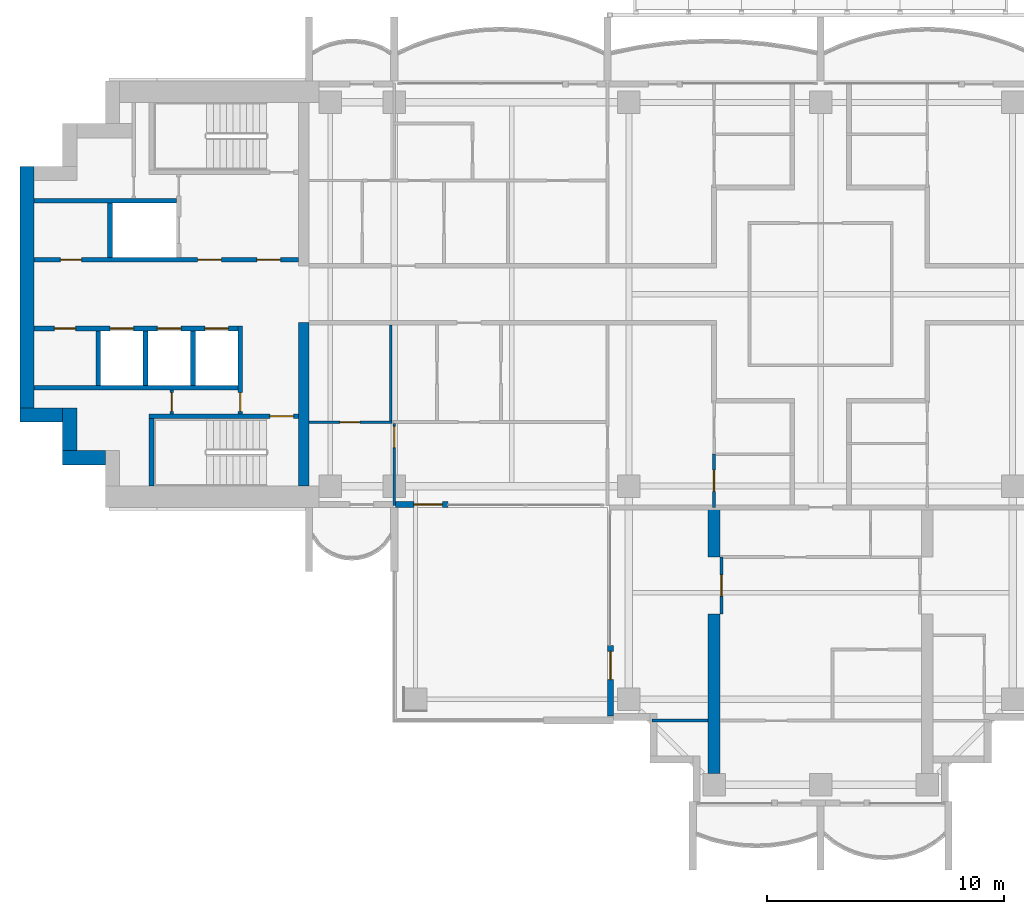
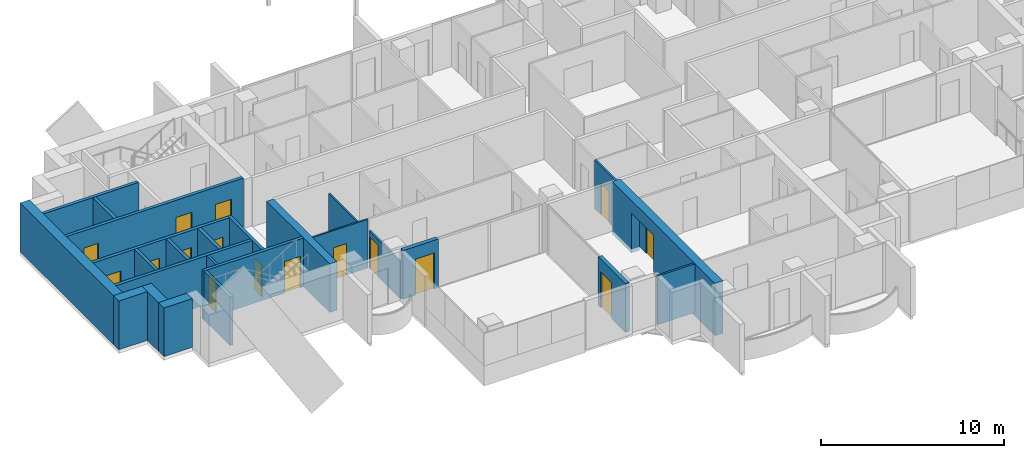
# One storey, part 10 of 20: 26 walls, 16 doors, 16 openings.
"""IFC4 building model written with IfcOpenShell, lengths in metres."""

import ifcopenshell
import ifcopenshell.guid

model = None  # the IFC model being written
_history = None  # IfcOwnerHistory: only IFC2X3 demands one
_inside = {}  # id of a spatial element -> (the spatial element, [elements in it])
_under = {}  # id of a project, library or spatial element -> (it, [spatial elements below it])
_declared = {}  # id of a project -> (the project, [libraries it declares])
_typed = {}  # id of a type object -> (the type object, [elements of that type])
_made_of = {}  # id of a material, layer set ... -> (it, [elements and type objects made of it])


def new_model(schema):
    """Start an empty IFC model of exactly this schema.

    Asked for "IFC4X3", IfcOpenShell would pick the latest addendum, in which some entities
    have other attributes; the version numbers below select the first issue.
    IFC2X3 requires an IfcOwnerHistory on every rooted entity: one is made here for all.
    """
    global model, _history
    if schema == "IFC4X3":
        model = ifcopenshell.file(schema_version=(4, 3, 0, 0))
    else:
        model = ifcopenshell.file(schema=schema)
    _inside.clear()
    _under.clear()
    _declared.clear()
    _typed.clear()
    _made_of.clear()
    _history = None
    if model.schema == "IFC2X3":
        org = make("IfcOrganization", Name="unknown")
        user = make(
            "IfcPersonAndOrganization",
            ThePerson=make("IfcPerson", FamilyName="unknown"),
            TheOrganization=org,
        )
        app = make(
            "IfcApplication",
            ApplicationDeveloper=org,
            Version="unknown",
            ApplicationFullName="unknown",
            ApplicationIdentifier="unknown",
        )
        _history = make(
            "IfcOwnerHistory",
            OwningUser=user,
            OwningApplication=app,
            ChangeAction="ADDED",
            CreationDate=0,
        )
    return model


def make(cls, **values):
    """One entity of the class cls with the attributes given. An attribute that is None is left unset."""
    return model.create_entity(
        cls, **{name: value for name, value in values.items() if value is not None}
    )


def rooted(cls, **values):
    """An entity with a GlobalId (a new one), such as an element, a storey or a relation."""
    return make(cls, GlobalId=ifcopenshell.guid.new(), OwnerHistory=_history, **values)


def si_unit(unit_type, name, prefix=None):
    """IfcSIUnit, for example si_unit("LENGTHUNIT", "METRE", prefix="MILLI")."""
    return make("IfcSIUnit", UnitType=unit_type, Prefix=prefix, Name=name)


def assignment(units):
    """IfcUnitAssignment: the units of a project."""
    return None if units is None else make("IfcUnitAssignment", Units=units)


def point(xyz):
    """IfcCartesianPoint."""
    return None if xyz is None else make("IfcCartesianPoint", Coordinates=xyz)


def direction(xyz):
    """IfcDirection."""
    return None if xyz is None else make("IfcDirection", DirectionRatios=xyz)


def frame(location, z_axis=None, x_axis=None):
    """IfcAxis2Placement3D, a coordinate frame: its origin and axes. An axis left out is left unset."""
    return make(
        "IfcAxis2Placement3D",
        Location=point(location),
        Axis=direction(z_axis),
        RefDirection=direction(x_axis),
    )


def frame_2d(location, x_axis=None):
    """IfcAxis2Placement2D, a coordinate frame in the plane: its origin and x axis."""
    return make(
        "IfcAxis2Placement2D", Location=point(location), RefDirection=direction(x_axis)
    )


def origin():
    """The frame at (0, 0, 0) with its axes left unset."""
    return frame((0.0, 0.0, 0.0))


def place(relative_to, where):
    """IfcLocalPlacement: puts the frame where relative to a parent placement (None: the world)."""
    return make(
        "IfcLocalPlacement", PlacementRelTo=relative_to, RelativePlacement=where
    )


def context(
    kind, dimensions, precision=None, world=None, true_north=None, identifier=None
):
    """IfcGeometricRepresentationContext, for example the 3D "Model" context."""
    return make(
        "IfcGeometricRepresentationContext",
        ContextIdentifier=identifier,
        ContextType=kind,
        CoordinateSpaceDimension=dimensions,
        Precision=precision,
        WorldCoordinateSystem=world,
        TrueNorth=true_north,
    )


def subcontext(parent, identifier, kind, view, scale=None):
    """IfcGeometricRepresentationSubContext, for example "Body" below "Model"."""
    return make(
        "IfcGeometricRepresentationSubContext",
        ContextIdentifier=identifier,
        ContextType=kind,
        ParentContext=parent,
        TargetScale=scale,
        TargetView=view,
    )


def project(units=None, contexts=None):
    """IfcProject with its units and contexts."""
    return rooted(
        "IfcProject",
        Name="project",
        RepresentationContexts=contexts,
        UnitsInContext=assignment(units),
    )


def spatial(cls, under=None, at=None, **own):
    """A site, building, storey or space (cls), placed at a placement, below another one or the project."""
    s = rooted(cls, ObjectPlacement=at, **own)
    if under is not None:
        _under.setdefault(under.id(), (under, []))[1].append(s)
    return s


def polyline(points):
    """IfcPolyline through the points."""
    return make("IfcPolyline", Points=[point(p) for p in points])


def profile(cls, at=None, kind="AREA", **sizes):
    """A parametric profile (cls). Its sizes go by their IFC names, for example OverallWidth=200.0."""
    return make(cls, ProfileType=kind, Position=at, **sizes)


def rectangle(**sizes):
    """IfcRectangleProfileDef."""
    return profile("IfcRectangleProfileDef", **sizes)


def outline(outer, holes=None, kind="AREA"):
    """IfcArbitraryClosedProfileDef: a profile drawn as a closed curve; with holes, ...WithVoids."""
    if holes is None:
        return make("IfcArbitraryClosedProfileDef", ProfileType=kind, OuterCurve=outer)
    return make(
        "IfcArbitraryProfileDefWithVoids",
        ProfileType=kind,
        OuterCurve=outer,
        InnerCurves=holes,
    )


def extrude(swept, where, along, depth):
    """IfcExtrudedAreaSolid: the profile swept, set in the frame where, extruded along a direction by depth."""
    return make(
        "IfcExtrudedAreaSolid",
        SweptArea=swept,
        Position=where,
        ExtrudedDirection=direction(along),
        Depth=depth,
    )


def shape(context_of_items, identifier, shape_type, items):
    """IfcShapeRepresentation: the items that make up one representation, for example the "Body"."""
    return make(
        "IfcShapeRepresentation",
        ContextOfItems=context_of_items,
        RepresentationIdentifier=identifier,
        RepresentationType=shape_type,
        Items=items,
    )


def material(Name=None, Category=None):
    """IfcMaterial."""
    return make("IfcMaterial", Name=Name, Category=Category)


def layer(
    of_material, thickness, ventilated=None, Name=None, Category=None, Priority=None
):
    """IfcMaterialLayer: one layer of a wall or slab, of a material (None: an air gap)."""
    return make(
        "IfcMaterialLayer",
        Material=of_material,
        LayerThickness=thickness,
        IsVentilated=ventilated,
        Name=Name,
        Category=Category,
        Priority=Priority,
    )


def layer_set(layers, Name=None):
    """IfcMaterialLayerSet."""
    return make("IfcMaterialLayerSet", MaterialLayers=layers, LayerSetName=Name)


def material_profile(
    of_material, cross_section, Name=None, Category=None, Priority=None
):
    """IfcMaterialProfile: a cross section and its material."""
    return make(
        "IfcMaterialProfile",
        Name=Name,
        Material=of_material,
        Profile=cross_section,
        Priority=Priority,
        Category=Category,
    )


def profile_set(profiles, Name=None, composite=None):
    """IfcMaterialProfileSet."""
    return make(
        "IfcMaterialProfileSet",
        Name=Name,
        MaterialProfiles=profiles,
        CompositeProfile=composite,
    )


def made_of(thing, what):
    """Note that an element or type object is made of a material, layer set ...; save() writes the relation."""
    if what is not None:
        _made_of.setdefault(what.id(), (what, []))[1].append(thing)
    return thing


def type_object(cls, material=None, **own):
    """A type object (cls), such as IfcWallType, which elements share."""
    return made_of(rooted(cls, **own), material)


def element(
    cls,
    number,
    at=None,
    inside=None,
    cuts=None,
    type_object=None,
    material=None,
    context=None,
    identifier="Body",
    shape_type=None,
    held_by="IfcProductDefinitionShape",
    body=None,
    shapes=None,
    **own,
):
    """One element of the class cls, such as IfcWall. Its Tag is "e" and its number.

    at: its placement. inside: the storey or other place that contains it. cuts: it is an
    opening in that element (IfcRelVoidsElement). A single representation is given by context,
    identifier, shape_type and body (its items); several are given by shapes. held_by: the class
    of the entity that holds the representations. save() writes the other relations.
    """
    e = rooted(cls, Tag="e%d" % number, ObjectPlacement=at, **own)
    if body is not None:
        shapes = [shape(context, identifier, shape_type, body)]
    if shapes is not None:
        e.Representation = make(held_by, Representations=shapes)
    if inside is not None:
        _inside.setdefault(inside.id(), (inside, []))[1].append(e)
    if cuts is not None:
        rooted(
            "IfcRelVoidsElement", RelatingBuildingElement=cuts, RelatedOpeningElement=e
        )
    if type_object is not None:
        _typed.setdefault(type_object.id(), (type_object, []))[1].append(e)
    return made_of(e, material)


def fill(opening, filler):
    """IfcRelFillsElement: the door or window that sits in an opening."""
    return rooted(
        "IfcRelFillsElement",
        RelatingOpeningElement=opening,
        RelatedBuildingElement=filler,
    )


def aggregate(whole, parts):
    """IfcRelAggregates: a whole, such as a stair, and the parts it consists of."""
    return rooted("IfcRelAggregates", RelatingObject=whole, RelatedObjects=parts)


def save(model, path):
    """Write the relations noted so far, then the file.

    IfcRelAggregates (storeys below a building ...), IfcRelContainedInSpatialStructure (elements
    in a storey), IfcRelDefinesByType, IfcRelAssociatesMaterial and IfcRelDeclares: one each for
    every whole, place, type object, material and project.
    """
    for whole, parts in _under.values():
        aggregate(whole, parts)
    for where, things in _inside.values():
        rooted(
            "IfcRelContainedInSpatialStructure",
            RelatedElements=things,
            RelatingStructure=where,
        )
    for kind, things in _typed.values():
        rooted("IfcRelDefinesByType", RelatedObjects=things, RelatingType=kind)
    for what, things in _made_of.values():
        rooted("IfcRelAssociatesMaterial", RelatedObjects=things, RelatingMaterial=what)
    for by, libraries in _declared.values():
        rooted("IfcRelDeclares", RelatingContext=by, RelatedDefinitions=libraries)
    model.write(path)


model = new_model("IFC4")

# Units and contexts
model_context = context("Model", 3, precision=1e-05, world=origin(), true_north=direction((0.0, 1.0)))
body_context = subcontext(model_context, "Body", "Model", "MODEL_VIEW")
ifc_project = project(units=[si_unit("LENGTHUNIT", "METRE"), si_unit("AREAUNIT", "SQUARE_METRE"), si_unit("VOLUMEUNIT", "CUBIC_METRE"), si_unit("PLANEANGLEUNIT", "RADIAN"), si_unit("MASSUNIT", "GRAM", prefix="KILO")], contexts=[model_context])

# Site, building, storey
site_placement = place(None, origin())
site = spatial("IfcSite", under=ifc_project, at=site_placement, CompositionType="ELEMENT")
building_placement = place(site_placement, origin())
building = spatial("IfcBuilding", under=site, at=building_placement, Name="Perihelion Cross Residences", CompositionType="ELEMENT")
storey_placement = place(building_placement, frame((0.0, 0.0, 170.10009765625)))
storey = spatial("IfcBuildingStorey", under=building, at=storey_placement, Name="L41", CompositionType="ELEMENT", Elevation=170.10009765625)

# Wall, opening, door
ifc_material_1 = material(Name="Concrete C30/37, bronze-clad", Category="concrete")
ifc_layer_1 = layer(ifc_material_1, 0.25)
ifc_layer_set_1 = layer_set([ifc_layer_1], Name="Bronze-clad pier wall 250")
wall_type_1 = type_object("IfcWallType", Name="Bronze-clad pier wall 250", PredefinedType="SOLIDWALL", material=ifc_layer_set_1)
wall_1_placement = place(storey_placement, frame((-17.93994140625, -8.875, 0.0), z_axis=(0.0, 0.0, 1.0), x_axis=(1.0, 0.0, 0.0)))
wall_1 = element("IfcWall", 1, at=wall_1_placement, inside=storey, type_object=wall_type_1, Name="Wall FW1 L41 west side south bay 2 pier", PredefinedType="SOLIDWALL", context=body_context, shape_type="SweptSolid", body=[
    extrude(rectangle(XDim=2.21484375, YDim=0.25, at=frame_2d((1.107421875, 0.0))), origin(), (0.0, 0.0, 1.0), 3.25),
])
opening_1_placement = place(wall_1_placement, frame((0.764892578125, 0.0, 0.0)))
opening_1 = element("IfcOpeningElement", 2, at=opening_1_placement, cuts=wall_1, Name="Opening L41.E08", PredefinedType="OPENING", context=body_context, shape_type="SweptSolid", body=[
    extrude(rectangle(XDim=1.199951171875, YDim=2.39990234375, at=frame_2d((0.60009765625, 1.199951171875))), frame((0.0, 0.135009765625, 0.0), z_axis=(0.0, -1.0, 0.0), x_axis=(1.0, 0.0, 0.0)), (0.0, 0.0, 1.0), 0.27001953125),
])
ifc_material_2 = material(Name="Bronze anodised aluminium, glazed", Category="aluminium")
door_type_1 = type_object("IfcDoorType", Name="Balcony door 1200 x 2400", OperationType="NOTDEFINED", PredefinedType="DOOR", material=ifc_material_2)
door_1_placement = place(opening_1_placement, origin())
door_1 = element("IfcDoor", 3, at=door_1_placement, inside=storey, type_object=door_type_1, Name="Door L41.E08 west side south bay 2", OperationType="SINGLE_SWING_RIGHT", OverallHeight=2.39990234375, OverallWidth=1.199951171875, PredefinedType="DOOR", context=body_context, shape_type="SweptSolid", body=[
    extrude(rectangle(XDim=1.199951171875, YDim=2.39990234375, at=frame_2d((0.60009765625, 1.199951171875))), frame((0.0, 0.02490234375, 0.0), z_axis=(0.0, -1.0, 0.0), x_axis=(1.0, 0.0, 0.0)), (0.0, 0.0, 1.0), 0.050048828125),
])
fill(opening_1, door_1)

wall_2_placement = place(storey_placement, frame((-8.875, -14.824951171875, 0.0), z_axis=(0.0, 0.0, 1.0), x_axis=(0.0, -1.0, 0.0)))
wall_2 = element("IfcWall", 4, at=wall_2_placement, inside=storey, type_object=wall_type_1, Name="Wall FW1 L41 south side west bay 1 pier", PredefinedType="SOLIDWALL", context=body_context, shape_type="SweptSolid", body=[
    extrude(rectangle(XDim=2.97509765625, YDim=0.25, at=frame_2d((1.487548828125, 0.0))), origin(), (0.0, 0.0, 1.0), 3.25),
])
opening_2_placement = place(wall_2_placement, frame((0.25, 0.0, 0.0)))
opening_2 = element("IfcOpeningElement", 5, at=opening_2_placement, cuts=wall_2, Name="Opening L41.E09", PredefinedType="OPENING", context=body_context, shape_type="SweptSolid", body=[
    extrude(rectangle(XDim=1.199951171875, YDim=2.39990234375, at=frame_2d((0.60009765625, 1.199951171875))), frame((0.0, 0.135009765625, 0.0), z_axis=(0.0, -1.0, 0.0), x_axis=(1.0, 0.0, 0.0)), (0.0, 0.0, 1.0), 0.27001953125),
])
door_2_placement = place(opening_2_placement, origin())
door_2 = element("IfcDoor", 6, at=door_2_placement, inside=storey, type_object=door_type_1, Name="Door L41.E09 south side west bay 1", OperationType="SINGLE_SWING_LEFT", OverallHeight=2.39990234375, OverallWidth=1.199951171875, PredefinedType="DOOR", context=body_context, shape_type="SweptSolid", body=[
    extrude(rectangle(XDim=1.199951171875, YDim=2.39990234375, at=frame_2d((0.60009765625, 1.199951171875))), frame((0.0, 0.02490234375, 0.0), z_axis=(0.0, -1.0, 0.0), x_axis=(1.0, 0.0, 0.0)), (0.0, 0.0, 1.0), 0.050048828125),
])
fill(opening_2, door_2)

# Walls
ifc_material_3 = material(Name="Concrete C60/75", Category="concrete")
ifc_layer_2 = layer(ifc_material_3, 0.449951171875)
ifc_layer_set_2 = layer_set([ifc_layer_2], Name="Core wall, inner 450")
wall_type_2 = type_object("IfcWallType", Name="Core wall, inner 450", PredefinedType="SHEAR", material=ifc_layer_set_2)
wall_3_placement = place(storey_placement, frame((-21.824951171875, -8.10009765625, 0.0), z_axis=(0.0, 0.0, 1.0), x_axis=(0.0, 1.0, 0.0)))
element("IfcWall", 7, at=wall_3_placement, inside=storey, type_object=wall_type_2, Name="West core core wall, inner", PredefinedType="SHEAR", context=body_context, shape_type="SweptSolid", body=[
    extrude(rectangle(XDim=6.900146484375, YDim=0.449951171875, at=frame_2d((3.4501953125, 0.0))), origin(), (0.0, 0.0, 1.0), 3.25),
])
ifc_material_4 = material(Name="Concrete C60/75", Category="concrete")
ifc_layer_3 = layer(ifc_material_4, 0.60009765625)
ifc_layer_set_3 = layer_set([ifc_layer_3], Name="Core wall, outer 600")
wall_type_3 = type_object("IfcWallType", Name="Core wall, outer 600", PredefinedType="SHEAR", material=ifc_layer_set_3)
for number, where, z_axis, x_axis, name in (
    (8, (-32.0, -6.89990234375, 0.0), (0.0, 0.0, 1.0), (1.0, 0.0, 0.0), "West core core wall, outer"),
    (9, (-31.699951171875, -6.60009765625, 0.0), (0.0, 0.0, 1.0), (0.0, 1.0, 0.0), "West core core wall, outer"),
    (10, (-33.800048828125, -5.10009765625, 0.0), (0.0, 0.0, 1.0), (1.0, 0.0, 0.0), "West core core wall, outer"),
):
    element("IfcWall", number, at=place(storey_placement, frame(where, z_axis=z_axis, x_axis=x_axis)), inside=storey, type_object=wall_type_3, Name=name, PredefinedType="SHEAR", context=body_context, shape_type="SweptSolid", body=[
        extrude(rectangle(XDim=1.800048828125, YDim=0.60009765625, at=frame_2d((0.89990234375, 0.0))), origin(), (0.0, 0.0, 1.0), 3.25),
    ])
wall_4_placement = place(storey_placement, frame((-33.5, -4.800048828125, 0.0), z_axis=(0.0, 0.0, 1.0), x_axis=(0.0, 1.0, 0.0)))
element("IfcWall", 11, at=wall_4_placement, inside=storey, type_object=wall_type_3, Name="West core core wall, outer", PredefinedType="SHEAR", context=body_context, shape_type="SweptSolid", body=[
    extrude(rectangle(XDim=10.199951171875, YDim=0.60009765625, at=frame_2d((5.10009765625, 0.0))), origin(), (0.0, 0.0, 1.0), 3.25),
])

# Wall, opening, door
ifc_material_5 = material(Name="Plasterboard partition")
ifc_layer_4 = layer(ifc_material_5, 0.1201171875)
ifc_layer_set_4 = layer_set([ifc_layer_4], Name="Infill panel 120")
wall_type_4 = type_object("IfcWallType", Name="Infill panel 120", PredefinedType="PARTITIONING", material=ifc_layer_set_4)
wall_5_placement = place(storey_placement, frame((-4.18994140625, -11.10009765625, 0.0), z_axis=(0.0, 0.0, 1.0), x_axis=(0.0, -1.0, 0.0)))
wall_5 = element("IfcWall", 12, at=wall_5_placement, inside=storey, type_object=wall_type_4, Name="Partition L41 WI02", PredefinedType="PARTITIONING", context=body_context, shape_type="SweptSolid", body=[
    extrude(rectangle(XDim=2.39990234375, YDim=0.1201171875, at=frame_2d((1.199951171875, 0.0))), origin(), (0.0, 0.0, 1.0), 2.39990234375),
])
opening_3_placement = place(wall_5_placement, frame((0.75, 0.0, 0.0)))
opening_3 = element("IfcOpeningElement", 13, at=opening_3_placement, cuts=wall_5, Name="Opening L41.A50", PredefinedType="OPENING", context=body_context, shape_type="SweptSolid", body=[
    extrude(rectangle(XDim=0.89990234375, YDim=2.10009765625, at=frame_2d((0.449951171875, 1.050048828125))), frame((0.0, 0.070068359375, 0.0), z_axis=(0.0, -1.0, 0.0), x_axis=(1.0, 0.0, 0.0)), (0.0, 0.0, 1.0), 0.14013671875),
])
ifc_material_6 = material(Name="Timber door leaf", Category="wood")
door_type_2 = type_object("IfcDoorType", Name="Interior room door 900 x 2100", OperationType="SINGLE_SWING_LEFT", PredefinedType="DOOR", material=ifc_material_6)
door_3_placement = place(opening_3_placement, origin())
door_3 = element("IfcDoor", 14, at=door_3_placement, inside=storey, type_object=door_type_2, Name="Door L41.A50", OperationType="SINGLE_SWING_RIGHT", OverallHeight=2.10009765625, OverallWidth=0.89990234375, PredefinedType="DOOR", context=body_context, shape_type="SweptSolid", body=[
    extrude(rectangle(XDim=0.89990234375, YDim=2.10009765625, at=frame_2d((0.449951171875, 1.050048828125))), frame((0.0, 0.02490234375, 0.0), z_axis=(0.0, -1.0, 0.0), x_axis=(1.0, 0.0, 0.0)), (0.0, 0.0, 1.0), 0.050048828125),
])
fill(opening_3, door_3)

ifc_material_7 = material(Name="Concrete C50/60", Category="concrete")
ifc_layer_5 = layer(ifc_material_7, 0.199951171875)
ifc_layer_set_5 = layer_set([ifc_layer_5], Name="Lobby wall 200")
wall_type_5 = type_object("IfcWallType", Name="Lobby wall 200", PredefinedType="SOLIDWALL", material=ifc_layer_set_5)
wall_6_placement = place(storey_placement, frame((-24.5, -5.050048828125, 0.0), z_axis=(0.0, 0.0, 1.0), x_axis=(0.0, 1.0, 0.0)))
wall_6 = element("IfcWall", 15, at=wall_6_placement, inside=storey, type_object=wall_type_5, Name="West core lobby wall", PredefinedType="SOLIDWALL", context=body_context, shape_type="SweptSolid", body=[
    extrude(rectangle(XDim=3.699951171875, YDim=0.199951171875, at=frame_2d((1.85009765625, 0.0))), origin(), (0.0, 0.0, 1.0), 3.25),
])
opening_4_placement = place(wall_6_placement, frame((0.10009765625, 0.0, 0.0)))
opening_4 = element("IfcOpeningElement", 16, at=opening_4_placement, cuts=wall_6, Name="Opening L41.C22", PredefinedType="OPENING", context=body_context, shape_type="SweptSolid", body=[
    extrude(rectangle(XDim=0.800048828125, YDim=2.10009765625, at=frame_2d((0.39990234375, 1.050048828125))), frame((0.0, 0.10986328125, 0.0), z_axis=(0.0, -1.0, 0.0), x_axis=(1.0, 0.0, 0.0)), (0.0, 0.0, 1.0), 0.219970703125),
])
ifc_material_8 = material(Name="Steel, powder coated", Category="steel")
door_type_3 = type_object("IfcDoorType", Name="Riser door 800", OperationType="SINGLE_SWING_LEFT", PredefinedType="DOOR", material=ifc_material_8)
door_4_placement = place(opening_4_placement, origin())
door_4 = element("IfcDoor", 17, at=door_4_placement, inside=storey, type_object=door_type_3, Name="West core riser door", OperationType="SINGLE_SWING_LEFT", OverallHeight=2.10009765625, OverallWidth=0.800048828125, PredefinedType="DOOR", context=body_context, shape_type="SweptSolid", body=[
    extrude(rectangle(XDim=0.800048828125, YDim=2.10009765625, at=frame_2d((0.39990234375, 1.050048828125))), frame((0.0, 0.02490234375, 0.0), z_axis=(0.0, -1.0, 0.0), x_axis=(1.0, 0.0, 0.0)), (0.0, 0.0, 1.0), 0.050048828125),
])
fill(opening_4, door_4)

ifc_material_9 = material(Name="Plasterboard partition")
ifc_layer_6 = layer(ifc_material_9, 0.1201171875)
ifc_layer_set_6 = layer_set([ifc_layer_6], Name="Partition wall 120")
wall_type_6 = type_object("IfcWallType", Name="Partition wall 120", PredefinedType="PARTITIONING", material=ifc_layer_set_6)
wall_7_placement = place(storey_placement, frame((-18.0, -8.919921875, 0.0), z_axis=(0.0, 0.0, 1.0), x_axis=(0.0, 1.0, 0.0)))
wall_7 = element("IfcWall", 18, at=wall_7_placement, inside=storey, type_object=wall_type_6, Name="Partition L41 W069", PredefinedType="PARTITIONING", context=body_context, shape_type="SweptSolid", body=[
    extrude(rectangle(XDim=3.4599609375, YDim=0.1201171875, at=frame_2d((1.72998046875, 0.0))), origin(), (0.0, 0.0, 1.0), 2.47998046875),
])
opening_5_placement = place(wall_7_placement, frame((2.43994140625, 0.0, 0.0)))
opening_5 = element("IfcOpeningElement", 19, at=opening_5_placement, cuts=wall_7, Name="Opening L41.A35", PredefinedType="OPENING", context=body_context, shape_type="SweptSolid", body=[
    extrude(rectangle(XDim=0.89990234375, YDim=2.10009765625, at=frame_2d((0.449951171875, 1.050048828125))), frame((0.0, 0.070068359375, 0.0), z_axis=(0.0, -1.0, 0.0), x_axis=(1.0, 0.0, 0.0)), (0.0, 0.0, 1.0), 0.14013671875),
])
door_5_placement = place(opening_5_placement, origin())
door_5 = element("IfcDoor", 20, at=door_5_placement, inside=storey, type_object=door_type_2, Name="Door L41.A35", OperationType="SINGLE_SWING_RIGHT", OverallHeight=2.10009765625, OverallWidth=0.89990234375, PredefinedType="DOOR", context=body_context, shape_type="SweptSolid", body=[
    extrude(rectangle(XDim=0.89990234375, YDim=2.10009765625, at=frame_2d((0.449951171875, 1.050048828125))), frame((0.0, 0.02490234375, 0.0), z_axis=(0.0, -1.0, 0.0), x_axis=(1.0, 0.0, 0.0)), (0.0, 0.0, 1.0), 0.050048828125),
])
fill(opening_5, door_5)

wall_8_placement = place(storey_placement, frame((-4.5, -6.75, 0.0), z_axis=(0.0, 0.0, 1.0), x_axis=(0.0, -1.0, 0.0)))
wall_8 = element("IfcWall", 21, at=wall_8_placement, inside=storey, type_object=wall_type_6, Name="Partition L41 W071", PredefinedType="PARTITIONING", context=body_context, shape_type="SweptSolid", body=[
    extrude(rectangle(XDim=2.25, YDim=0.1201171875, at=frame_2d((1.125, 0.0))), origin(), (0.0, 0.0, 1.0), 3.25),
])
opening_6_placement = place(wall_8_placement, frame((0.675048828125, 0.0, 0.0)))
opening_6 = element("IfcOpeningElement", 22, at=opening_6_placement, cuts=wall_8, Name="Opening L41.A33", PredefinedType="OPENING", context=body_context, shape_type="SweptSolid", body=[
    extrude(rectangle(XDim=0.89990234375, YDim=2.10009765625, at=frame_2d((0.449951171875, 1.050048828125))), frame((0.0, 0.070068359375, 0.0), z_axis=(0.0, -1.0, 0.0), x_axis=(1.0, 0.0, 0.0)), (0.0, 0.0, 1.0), 0.14013671875),
])
door_6_placement = place(opening_6_placement, origin())
door_6 = element("IfcDoor", 23, at=door_6_placement, inside=storey, type_object=door_type_2, Name="Door L41.A33", OperationType="SINGLE_SWING_LEFT", OverallHeight=2.10009765625, OverallWidth=0.89990234375, PredefinedType="DOOR", context=body_context, shape_type="SweptSolid", body=[
    extrude(rectangle(XDim=0.89990234375, YDim=2.10009765625, at=frame_2d((0.449951171875, 1.050048828125))), frame((0.0, 0.02490234375, 0.0), z_axis=(0.0, -1.0, 0.0), x_axis=(1.0, 0.0, 0.0)), (0.0, 0.0, 1.0), 0.050048828125),
])
fill(opening_6, door_6)

# Wall
wall_9_placement = place(storey_placement, frame((-4.75, -18.0, 0.0), z_axis=(0.0, 0.0, 1.0), x_axis=(-1.0, 0.0, 0.0)))
element("IfcWall", 24, at=wall_9_placement, inside=storey, type_object=wall_type_6, Name="Partition L41 W082", PredefinedType="PARTITIONING", context=body_context, shape_type="SweptSolid", body=[
    extrude(rectangle(XDim=2.3701171875, YDim=0.1201171875, at=frame_2d((1.18505859375, 0.0))), origin(), (0.0, 0.0, 1.0), 3.25),
])

# Wall, opening, door
ifc_material_10 = material(Name="Fire-rated board on steel stud", Category="steel")
ifc_layer_7 = layer(ifc_material_10, 0.14990234375)
ifc_layer_set_7 = layer_set([ifc_layer_7], Name="Riser wall 150")
wall_type_7 = type_object("IfcWallType", Name="Riser wall 150", PredefinedType="PARTITIONING", material=ifc_layer_set_7)
wall_10_placement = place(storey_placement, frame((-27.39990234375, -5.050048828125, 0.0), z_axis=(0.0, 0.0, 1.0), x_axis=(0.0, 1.0, 0.0)))
wall_10 = element("IfcWall", 25, at=wall_10_placement, inside=storey, type_object=wall_type_7, Name="West core riser wall", PredefinedType="PARTITIONING", context=body_context, shape_type="SweptSolid", body=[
    extrude(rectangle(XDim=1.0, YDim=0.14990234375, at=frame_2d((0.5, 0.0))), origin(), (0.0, 0.0, 1.0), 3.25),
])
opening_7_placement = place(wall_10_placement, frame((0.10009765625, 0.0, 0.0)))
opening_7 = element("IfcOpeningElement", 26, at=opening_7_placement, cuts=wall_10, Name="Opening L41.C25", PredefinedType="OPENING", context=body_context, shape_type="SweptSolid", body=[
    extrude(rectangle(XDim=0.800048828125, YDim=2.10009765625, at=frame_2d((0.39990234375, 1.050048828125))), frame((0.0, 0.0849609375, 0.0), z_axis=(0.0, -1.0, 0.0), x_axis=(1.0, 0.0, 0.0)), (0.0, 0.0, 1.0), 0.169921875),
])
door_7_placement = place(opening_7_placement, origin())
door_7 = element("IfcDoor", 27, at=door_7_placement, inside=storey, type_object=door_type_3, Name="West core riser door", OperationType="SINGLE_SWING_LEFT", OverallHeight=2.10009765625, OverallWidth=0.800048828125, PredefinedType="DOOR", context=body_context, shape_type="SweptSolid", body=[
    extrude(rectangle(XDim=0.800048828125, YDim=2.10009765625, at=frame_2d((0.39990234375, 1.050048828125))), frame((0.0, 0.02490234375, 0.0), z_axis=(0.0, -1.0, 0.0), x_axis=(1.0, 0.0, 0.0)), (0.0, 0.0, 1.0), 0.050048828125),
])
fill(opening_7, door_7)

# Wall, openings, doors
ifc_material_11 = material(Name="Concrete C50/60", Category="concrete")
ifc_layer_8 = layer(ifc_material_11, 0.199951171875)
ifc_layer_set_8 = layer_set([ifc_layer_8], Name="Shaft wall 200")
wall_type_8 = type_object("IfcWallType", Name="Shaft wall 200", PredefinedType="SOLIDWALL", material=ifc_layer_set_8)
wall_11_placement = place(storey_placement, frame((-33.199951171875, 1.449951171875, 0.0), z_axis=(0.0, 0.0, 1.0), x_axis=(1.0, 0.0, 0.0)))
wall_11 = element("IfcWall", 28, at=wall_11_placement, inside=storey, type_object=wall_type_8, Name="West core shaft wall", PredefinedType="SOLIDWALL", context=body_context, shape_type="SweptSolid", body=[
    extrude(rectangle(XDim=11.14990234375, YDim=0.199951171875, at=frame_2d((5.574951171875, 0.0))), origin(), (0.0, 0.0, 1.0), 3.25),
])
opening_8_placement = place(wall_11_placement, frame((9.39990234375, 0.0, 0.0)))
opening_8 = element("IfcOpeningElement", 29, at=opening_8_placement, cuts=wall_11, Name="Opening L41.C21", PredefinedType="OPENING", context=body_context, shape_type="SweptSolid", body=[
    extrude(rectangle(XDim=1.0, YDim=2.10009765625, at=frame_2d((0.5, 1.050048828125))), frame((0.0, 0.10986328125, 0.0), z_axis=(0.0, -1.0, 0.0), x_axis=(1.0, 0.0, 0.0)), (0.0, 0.0, 1.0), 0.219970703125),
])
opening_9_placement = place(wall_11_placement, frame((6.89990234375, 0.0, 0.0)))
opening_9 = element("IfcOpeningElement", 30, at=opening_9_placement, cuts=wall_11, Name="Opening L41.C23", PredefinedType="OPENING", context=body_context, shape_type="SweptSolid", body=[
    extrude(rectangle(XDim=1.0, YDim=2.10009765625, at=frame_2d((0.5, 1.050048828125))), frame((0.0, 0.10986328125, 0.0), z_axis=(0.0, -1.0, 0.0), x_axis=(1.0, 0.0, 0.0)), (0.0, 0.0, 1.0), 0.219970703125),
])
opening_10_placement = place(wall_11_placement, frame((1.10009765625, 0.0, 0.0)))
opening_10 = element("IfcOpeningElement", 31, at=opening_10_placement, cuts=wall_11, Name="Opening L41.C27", PredefinedType="OPENING", context=body_context, shape_type="SweptSolid", body=[
    extrude(rectangle(XDim=0.89990234375, YDim=2.10009765625, at=frame_2d((0.449951171875, 1.050048828125))), frame((0.0, 0.10986328125, 0.0), z_axis=(0.0, -1.0, 0.0), x_axis=(1.0, 0.0, 0.0)), (0.0, 0.0, 1.0), 0.219970703125),
])
ifc_material_12 = material(Name="Steel, powder coated", Category="steel")
door_type_4 = type_object("IfcDoorType", Name="Lobby door 1000", OperationType="SINGLE_SWING_LEFT", PredefinedType="DOOR", material=ifc_material_12)
door_8_placement = place(opening_8_placement, origin())
door_8 = element("IfcDoor", 32, at=door_8_placement, inside=storey, type_object=door_type_4, Name="West core firefighting lobby door", OperationType="SINGLE_SWING_LEFT", OverallHeight=2.10009765625, OverallWidth=1.0, PredefinedType="DOOR", context=body_context, shape_type="SweptSolid", body=[
    extrude(rectangle(XDim=1.0, YDim=2.10009765625, at=frame_2d((0.5, 1.050048828125))), frame((0.0, 0.02490234375, 0.0), z_axis=(0.0, -1.0, 0.0), x_axis=(1.0, 0.0, 0.0)), (0.0, 0.0, 1.0), 0.050048828125),
])
fill(opening_8, door_8)
door_9_placement = place(opening_9_placement, origin())
door_9 = element("IfcDoor", 33, at=door_9_placement, inside=storey, type_object=door_type_4, Name="West core firefighting lobby door", OperationType="SINGLE_SWING_LEFT", OverallHeight=2.10009765625, OverallWidth=1.0, PredefinedType="DOOR", context=body_context, shape_type="SweptSolid", body=[
    extrude(rectangle(XDim=1.0, YDim=2.10009765625, at=frame_2d((0.5, 1.050048828125))), frame((0.0, 0.02490234375, 0.0), z_axis=(0.0, -1.0, 0.0), x_axis=(1.0, 0.0, 0.0)), (0.0, 0.0, 1.0), 0.050048828125),
])
fill(opening_9, door_9)
ifc_material_13 = material(Name="Steel, powder coated", Category="steel")
door_type_5 = type_object("IfcDoorType", Name="Service room door 900", OperationType="SINGLE_SWING_LEFT", PredefinedType="DOOR", material=ifc_material_13)
door_10_placement = place(opening_10_placement, origin())
door_10 = element("IfcDoor", 34, at=door_10_placement, inside=storey, type_object=door_type_5, Name="West core service room door", OperationType="SINGLE_SWING_LEFT", OverallHeight=2.10009765625, OverallWidth=0.89990234375, PredefinedType="DOOR", context=body_context, shape_type="SweptSolid", body=[
    extrude(rectangle(XDim=0.89990234375, YDim=2.10009765625, at=frame_2d((0.449951171875, 1.050048828125))), frame((0.0, 0.02490234375, 0.0), z_axis=(0.0, -1.0, 0.0), x_axis=(1.0, 0.0, 0.0)), (0.0, 0.0, 1.0), 0.050048828125),
])
fill(opening_10, door_10)

wall_12_placement = place(storey_placement, frame((-33.199951171875, -1.449951171875, 0.0), z_axis=(0.0, 0.0, 1.0), x_axis=(1.0, 0.0, 0.0)))
wall_12 = element("IfcWall", 35, at=wall_12_placement, inside=storey, type_object=wall_type_8, Name="West core shaft wall", PredefinedType="SOLIDWALL", context=body_context, shape_type="SweptSolid", body=[
    extrude(rectangle(XDim=8.599853515625, YDim=0.199951171875, at=frame_2d((4.2998046875, 0.0))), origin(), (0.0, 0.0, 1.0), 3.25),
])
opening_11_placement = place(wall_12_placement, frame((7.199951171875, 0.0, 0.0)))
opening_11 = element("IfcOpeningElement", 36, at=opening_11_placement, cuts=wall_12, Name="Opening L41.C15", PredefinedType="OPENING", context=body_context, shape_type="SweptSolid", body=[
    extrude(rectangle(XDim=1.0, YDim=2.10009765625, at=frame_2d((0.5, 1.050048828125))), frame((0.0, 0.10986328125, 0.0), z_axis=(0.0, -1.0, 0.0), x_axis=(1.0, 0.0, 0.0)), (0.0, 0.0, 1.0), 0.219970703125),
])
opening_12_placement = place(wall_12_placement, frame((5.199951171875, 0.0, 0.0)))
opening_12 = element("IfcOpeningElement", 37, at=opening_12_placement, cuts=wall_12, Name="Opening L41.C17", PredefinedType="OPENING", context=body_context, shape_type="SweptSolid", body=[
    extrude(rectangle(XDim=1.0, YDim=2.10009765625, at=frame_2d((0.5, 1.050048828125))), frame((0.0, 0.10986328125, 0.0), z_axis=(0.0, -1.0, 0.0), x_axis=(1.0, 0.0, 0.0)), (0.0, 0.0, 1.0), 0.219970703125),
])
opening_13_placement = place(wall_12_placement, frame((3.199951171875, 0.0, 0.0)))
opening_13 = element("IfcOpeningElement", 38, at=opening_13_placement, cuts=wall_12, Name="Opening L41.C18", PredefinedType="OPENING", context=body_context, shape_type="SweptSolid", body=[
    extrude(rectangle(XDim=1.0, YDim=2.10009765625, at=frame_2d((0.5, 1.050048828125))), frame((0.0, 0.10986328125, 0.0), z_axis=(0.0, -1.0, 0.0), x_axis=(1.0, 0.0, 0.0)), (0.0, 0.0, 1.0), 0.219970703125),
])
opening_14_placement = place(wall_12_placement, frame((0.85009765625, 0.0, 0.0)))
opening_14 = element("IfcOpeningElement", 39, at=opening_14_placement, cuts=wall_12, Name="Opening L41.C28", PredefinedType="OPENING", context=body_context, shape_type="SweptSolid", body=[
    extrude(rectangle(XDim=0.89990234375, YDim=2.10009765625, at=frame_2d((0.449951171875, 1.050048828125))), frame((0.0, 0.10986328125, 0.0), z_axis=(0.0, -1.0, 0.0), x_axis=(1.0, 0.0, 0.0)), (0.0, 0.0, 1.0), 0.219970703125),
])
ifc_material_14 = material(Name="Stainless steel", Category="steel")
door_type_6 = type_object("IfcDoorType", Name="Landing door 1000", OperationType="DOUBLE_DOOR_SLIDING", PredefinedType="DOOR", material=ifc_material_14)
door_11_placement = place(opening_11_placement, origin())
door_11 = element("IfcDoor", 40, at=door_11_placement, inside=storey, type_object=door_type_6, Name="Landing door, West core high-rise lift 1", OperationType="DOUBLE_DOOR_SLIDING", OverallHeight=2.10009765625, OverallWidth=1.0, PredefinedType="DOOR", context=body_context, shape_type="SweptSolid", body=[
    extrude(rectangle(XDim=1.0, YDim=2.10009765625, at=frame_2d((0.5, 1.050048828125))), frame((0.0, 0.02490234375, 0.0), z_axis=(0.0, -1.0, 0.0), x_axis=(1.0, 0.0, 0.0)), (0.0, 0.0, 1.0), 0.050048828125),
])
fill(opening_11, door_11)
door_12_placement = place(opening_12_placement, origin())
door_12 = element("IfcDoor", 41, at=door_12_placement, inside=storey, type_object=door_type_6, Name="Landing door, West core high-rise lift 2", OperationType="DOUBLE_DOOR_SLIDING", OverallHeight=2.10009765625, OverallWidth=1.0, PredefinedType="DOOR", context=body_context, shape_type="SweptSolid", body=[
    extrude(rectangle(XDim=1.0, YDim=2.10009765625, at=frame_2d((0.5, 1.050048828125))), frame((0.0, 0.02490234375, 0.0), z_axis=(0.0, -1.0, 0.0), x_axis=(1.0, 0.0, 0.0)), (0.0, 0.0, 1.0), 0.050048828125),
])
fill(opening_12, door_12)
door_13_placement = place(opening_13_placement, origin())
door_13 = element("IfcDoor", 42, at=door_13_placement, inside=storey, type_object=door_type_6, Name="Landing door, West core high-rise lift 3", OperationType="DOUBLE_DOOR_SLIDING", OverallHeight=2.10009765625, OverallWidth=1.0, PredefinedType="DOOR", context=body_context, shape_type="SweptSolid", body=[
    extrude(rectangle(XDim=1.0, YDim=2.10009765625, at=frame_2d((0.5, 1.050048828125))), frame((0.0, 0.02490234375, 0.0), z_axis=(0.0, -1.0, 0.0), x_axis=(1.0, 0.0, 0.0)), (0.0, 0.0, 1.0), 0.050048828125),
])
fill(opening_13, door_13)
door_14_placement = place(opening_14_placement, origin())
door_14 = element("IfcDoor", 43, at=door_14_placement, inside=storey, type_object=door_type_5, Name="West core service room door", OperationType="SINGLE_SWING_LEFT", OverallHeight=2.10009765625, OverallWidth=0.89990234375, PredefinedType="DOOR", context=body_context, shape_type="SweptSolid", body=[
    extrude(rectangle(XDim=0.89990234375, YDim=2.10009765625, at=frame_2d((0.449951171875, 1.050048828125))), frame((0.0, 0.02490234375, 0.0), z_axis=(0.0, -1.0, 0.0), x_axis=(1.0, 0.0, 0.0)), (0.0, 0.0, 1.0), 0.050048828125),
])
fill(opening_14, door_14)

# Walls
wall_13_placement = place(storey_placement, frame((-33.199951171875, 3.949951171875, 0.0), z_axis=(0.0, 0.0, 1.0), x_axis=(1.0, 0.0, 0.0)))
element("IfcWall", 44, at=wall_13_placement, inside=storey, type_object=wall_type_8, Name="West core shaft wall", PredefinedType="SOLIDWALL", context=body_context, shape_type="SweptSolid", body=[
    extrude(rectangle(XDim=6.0, YDim=0.199951171875, at=frame_2d((3.0, 0.0))), origin(), (0.0, 0.0, 1.0), 3.25),
])
wall_14_placement = place(storey_placement, frame((-33.199951171875, -3.949951171875, 0.0), z_axis=(0.0, 0.0, 1.0), x_axis=(1.0, 0.0, 0.0)))
element("IfcWall", 45, at=wall_14_placement, inside=storey, type_object=wall_type_8, Name="West core shaft wall", PredefinedType="SOLIDWALL", context=body_context, shape_type="SweptSolid", body=[
    extrude(rectangle(XDim=8.599853515625, YDim=0.199951171875, at=frame_2d((4.2998046875, 0.0))), origin(), (0.0, 0.0, 1.0), 3.25),
])
for number, where, z_axis, x_axis, name in (
    (46, (-30.0, 1.550048828125, 0.0), (0.0, 0.0, 1.0), (0.0, 1.0, 0.0), "West core shaft wall"),
    (47, (-26.5, -3.85009765625, 0.0), (0.0, 0.0, 1.0), (0.0, 1.0, 0.0), "West core shaft wall"),
    (48, (-28.5, -3.85009765625, 0.0), (0.0, 0.0, 1.0), (0.0, 1.0, 0.0), "West core shaft wall"),
    (49, (-30.5, -3.85009765625, 0.0), (0.0, 0.0, 1.0), (0.0, 1.0, 0.0), "West core shaft wall"),
):
    element("IfcWall", number, at=place(storey_placement, frame(where, z_axis=z_axis, x_axis=x_axis)), inside=storey, type_object=wall_type_8, Name=name, PredefinedType="SOLIDWALL", context=body_context, shape_type="SweptSolid", body=[
        extrude(rectangle(XDim=2.300048828125, YDim=0.199951171875, at=frame_2d((1.14990234375, 0.0))), origin(), (0.0, 0.0, 1.0), 3.25),
    ])

# Wall, opening, door
ifc_material_15 = material(Name="Concrete C50/60", Category="concrete")
ifc_layer_9 = layer(ifc_material_15, 0.199951171875)
ifc_layer_set_9 = layer_set([ifc_layer_9], Name="Stair wall 200")
wall_type_9 = type_object("IfcWallType", Name="Stair wall 200", PredefinedType="SOLIDWALL", material=ifc_layer_set_9)
wall_15_placement = place(storey_placement, frame((-28.35009765625, -5.14990234375, 0.0), z_axis=(0.0, 0.0, 1.0), x_axis=(1.0, 0.0, 0.0)))
wall_15 = element("IfcWall", 50, at=wall_15_placement, inside=storey, type_object=wall_type_9, Name="West core stair wall", PredefinedType="SOLIDWALL", context=body_context, shape_type="SweptSolid", body=[
    extrude(rectangle(XDim=6.300048828125, YDim=0.199951171875, at=frame_2d((3.14990234375, 0.0))), origin(), (0.0, 0.0, 1.0), 3.25),
])
opening_15_placement = place(wall_15_placement, frame((5.10009765625, 0.0, 0.0)))
opening_15 = element("IfcOpeningElement", 51, at=opening_15_placement, cuts=wall_15, Name="Opening L41.C19", PredefinedType="OPENING", context=body_context, shape_type="SweptSolid", body=[
    extrude(rectangle(XDim=1.0, YDim=2.10009765625, at=frame_2d((0.5, 1.050048828125))), frame((0.0, 0.10986328125, 0.0), z_axis=(0.0, -1.0, 0.0), x_axis=(1.0, 0.0, 0.0)), (0.0, 0.0, 1.0), 0.219970703125),
])
ifc_material_16 = material(Name="Steel, powder coated", Category="steel")
door_type_7 = type_object("IfcDoorType", Name="Stair door 1000", OperationType="SINGLE_SWING_LEFT", PredefinedType="DOOR", material=ifc_material_16)
door_15_placement = place(opening_15_placement, origin())
door_15 = element("IfcDoor", 52, at=door_15_placement, inside=storey, type_object=door_type_7, Name="West core stair door", OperationType="SINGLE_SWING_LEFT", OverallHeight=2.10009765625, OverallWidth=1.0, PredefinedType="DOOR", context=body_context, shape_type="SweptSolid", body=[
    extrude(rectangle(XDim=1.0, YDim=2.10009765625, at=frame_2d((0.5, 1.050048828125))), frame((0.0, 0.02490234375, 0.0), z_axis=(0.0, -1.0, 0.0), x_axis=(1.0, 0.0, 0.0)), (0.0, 0.0, 1.0), 0.050048828125),
])
fill(opening_15, door_15)

# Walls
wall_16_placement = place(storey_placement, frame((-28.25, -8.10009765625, 0.0), z_axis=(0.0, 0.0, 1.0), x_axis=(0.0, 1.0, 0.0)))
element("IfcWall", 53, at=wall_16_placement, inside=storey, type_object=wall_type_9, Name="West core stair wall", PredefinedType="SOLIDWALL", context=body_context, shape_type="SweptSolid", body=[
    extrude(rectangle(XDim=2.85009765625, YDim=0.199951171875, at=frame_2d((1.425048828125, 0.0))), origin(), (0.0, 0.0, 1.0), 3.25),
])
ifc_material_17 = material(Name="Concrete C60/75", Category="concrete")
ifc_material_profile = material_profile(ifc_material_17, outline(polyline([(0.0, 0.0), (6.72509765625, 0.0), (6.72509765625, 2.64990234375), (9.125, 2.64990234375), (9.125, 0.0), (11.22509765625, 0.0), (11.22509765625, 3.5), (0.0, 3.5), (0.0, 0.0)])), Name="Tip spine wall")
ifc_profile_set = profile_set([ifc_material_profile], Name="Concrete C60/75")
wall_type_10 = type_object("IfcWallType", Name="Tip spine wall 500 with 1 door openings 11225 long 3500 high concrete C60/75", PredefinedType="SHEAR", material=ifc_profile_set)
wall_17_placement = place(storey_placement, frame((-4.75, -20.22509765625, -0.25), z_axis=(1.0, 0.0, 0.0), x_axis=(0.0, 1.0, 0.0)))
element("IfcWall", 54, at=wall_17_placement, inside=storey, type_object=wall_type_10, Name="Shear wall SW41 L41 south west", PredefinedType="SHEAR", context=body_context, shape_type="SweptSolid", body=[
    extrude(outline(polyline([(0.0, 0.0), (6.72509765625, 0.0), (6.72509765625, 2.64990234375), (9.125, 2.64990234375), (9.125, 0.0), (11.22509765625, 0.0), (11.22509765625, 3.5), (0.0, 3.5), (0.0, 0.0)])), origin(), (0.0, 0.0, 1.0), 0.5),
])
ifc_material_18 = material(Name="Plasterboard partition")
ifc_layer_10 = layer(ifc_material_18, 0.10009765625)
ifc_layer_set_10 = layer_set([ifc_layer_10], Name="Wet room wall 100")
wall_type_11 = type_object("IfcWallType", Name="Wet room wall 100", PredefinedType="PARTITIONING", material=ifc_layer_set_10)
wall_18_placement = place(storey_placement, frame((-18.14990234375, -5.35009765625, 0.0), z_axis=(0.0, 0.0, 1.0), x_axis=(0.0, 1.0, 0.0)))
element("IfcWall", 55, at=wall_18_placement, inside=storey, type_object=wall_type_11, Name="Partition L41 W067", PredefinedType="PARTITIONING", context=body_context, shape_type="SweptSolid", body=[
    extrude(rectangle(XDim=4.050048828125, YDim=0.10009765625, at=frame_2d((2.02490234375, 0.0))), origin(), (0.0, 0.0, 1.0), 2.47998046875),
])

# Wall, opening, door
wall_19_placement = place(storey_placement, frame((-18.10009765625, -5.39990234375, 0.0), z_axis=(0.0, 0.0, 1.0), x_axis=(-1.0, 0.0, 0.0)))
wall_19 = element("IfcWall", 56, at=wall_19_placement, inside=storey, type_object=wall_type_11, Name="Partition L41 W068", PredefinedType="PARTITIONING", context=body_context, shape_type="SweptSolid", body=[
    extrude(rectangle(XDim=3.5, YDim=0.10009765625, at=frame_2d((1.75, 0.0))), origin(), (0.0, 0.0, 1.0), 3.25),
])
opening_16_placement = place(wall_19_placement, frame((1.35009765625, 0.0, 0.0)))
opening_16 = element("IfcOpeningElement", 57, at=opening_16_placement, cuts=wall_19, Name="Opening L41.A37", PredefinedType="OPENING", context=body_context, shape_type="SweptSolid", body=[
    extrude(rectangle(XDim=0.85009765625, YDim=2.10009765625, at=frame_2d((0.425048828125, 1.050048828125))), frame((0.0, 0.06005859375, 0.0), z_axis=(0.0, -1.0, 0.0), x_axis=(1.0, 0.0, 0.0)), (0.0, 0.0, 1.0), 0.1201171875),
])
ifc_material_19 = material(Name="Timber door leaf", Category="wood")
door_type_8 = type_object("IfcDoorType", Name="Interior bathroom door 850 x 2100", OperationType="SINGLE_SWING_LEFT", PredefinedType="DOOR", material=ifc_material_19)
door_16_placement = place(opening_16_placement, origin())
door_16 = element("IfcDoor", 58, at=door_16_placement, inside=storey, type_object=door_type_8, Name="Door L41.A37", OperationType="SINGLE_SWING_RIGHT", OverallHeight=2.10009765625, OverallWidth=0.85009765625, PredefinedType="DOOR", context=body_context, shape_type="SweptSolid", body=[
    extrude(rectangle(XDim=0.85009765625, YDim=2.10009765625, at=frame_2d((0.425048828125, 1.050048828125))), frame((0.0, 0.02490234375, 0.0), z_axis=(0.0, -1.0, 0.0), x_axis=(1.0, 0.0, 0.0)), (0.0, 0.0, 1.0), 0.050048828125),
])
fill(opening_16, door_16)

save(model, "model.ifc")
